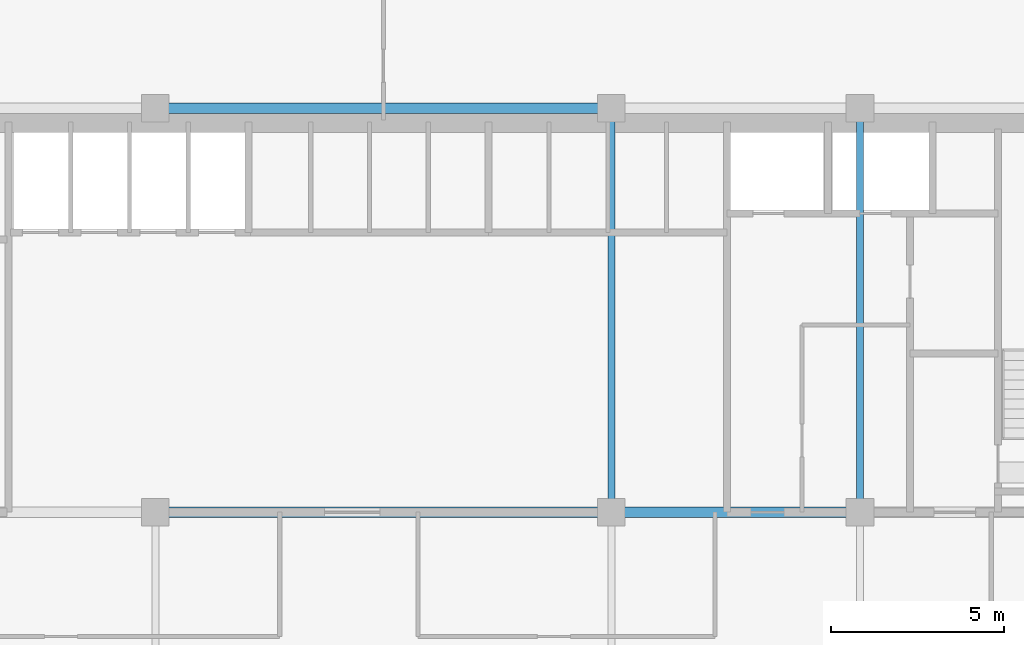
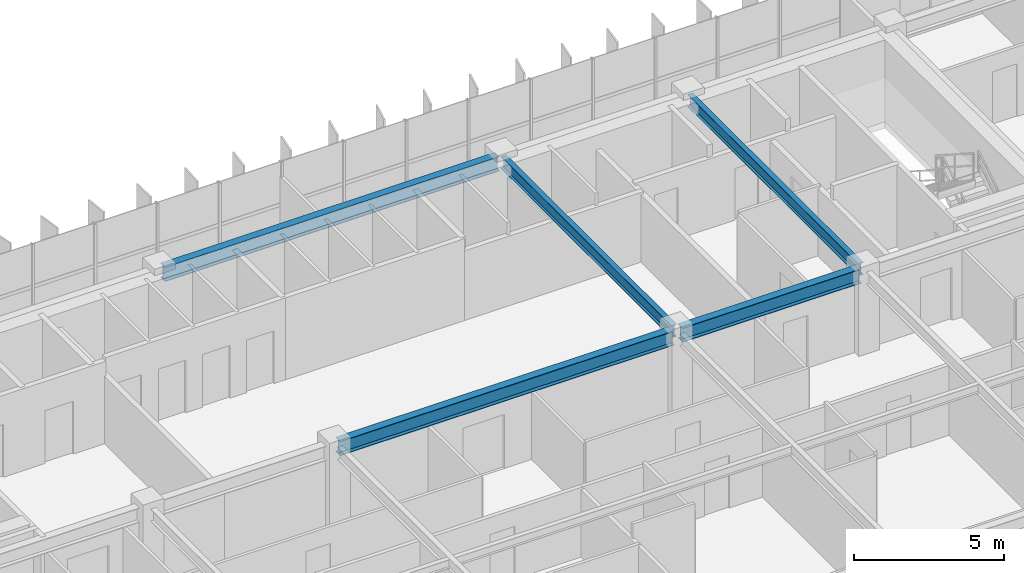
# One storey, part 8 of 22: 5 beams.
"""IFC4 building model written with IfcOpenShell, lengths in metres."""

from ifc_helpers import new_model, si_unit, direction, frame, origin, origin_2d, place, context, subcontext, project, spatial, i_section, extrude, source, transform, mapped, material, material_profile, profile_set, type_object, element, save


model = new_model("IFC4")

# Units and contexts
model_context = context("Model", 3, precision=1e-05, world=origin(), true_north=direction((0.0, 1.0)))
body_context = subcontext(model_context, "Body", "Model", "MODEL_VIEW")
ifc_project = project(units=[si_unit("LENGTHUNIT", "METRE"), si_unit("AREAUNIT", "SQUARE_METRE"), si_unit("VOLUMEUNIT", "CUBIC_METRE"), si_unit("PLANEANGLEUNIT", "RADIAN"), si_unit("MASSUNIT", "GRAM", prefix="KILO")], contexts=[model_context])

# Site, building, storey
site_placement = place(None, origin())
site = spatial("IfcSite", under=ifc_project, at=site_placement, CompositionType="ELEMENT")
building_placement = place(site_placement, origin())
building = spatial("IfcBuilding", under=site, at=building_placement, Name="Trelvane Seafront Commons", CompositionType="ELEMENT")
storey_placement = place(building_placement, frame((0.0, 0.0, 88.89990234375)))
storey = spatial("IfcBuildingStorey", under=building, at=storey_placement, Name="L22", CompositionType="ELEMENT", Elevation=88.89990234375)

# Beams
ifc_material = material(Name="Steel SM355 (S355)", Category="steel")
ifc_material_profile_1 = material_profile(ifc_material, i_section(OverallWidth=0.300048828125, OverallDepth=0.587890625, WebThickness=0.011962890625, FlangeThickness=0.02001953125, at=origin_2d()), Name="H-588x300x12x20")
ifc_profile_set_1 = profile_set([ifc_material_profile_1], Name="Steel SM355 (S355)")
beam_type_1 = type_object("IfcBeamType", Name="STR-BM-H588", PredefinedType="BEAM", material=ifc_profile_set_1)
shared_shape_1 = source(origin(), body_context, "Body", "SweptSolid", [
    extrude(i_section(OverallWidth=0.300048828125, OverallDepth=0.587890625, WebThickness=0.011962890625, FlangeThickness=0.02001953125, at=origin_2d()), origin(), (0.0, 0.0, 1.0), 12.89990234375),
])
for number, where, z_axis, x_axis, name in (
    (1, (30.75, 33.39990234375, 3.046142578125), (1.0, 0.0, 0.0), (0.0, 1.0, 0.0), "L22 Primary Girder G-23"),
    (2, (30.75, 45.10009765625, 3.046142578125), (1.0, 0.0, 0.0), (0.0, 1.0, 0.0), "L22 Primary Girder G-32"),
):
    element("IfcBeam", number, at=place(storey_placement, frame(where, z_axis=z_axis, x_axis=x_axis)), inside=storey, type_object=beam_type_1, Name=name, PredefinedType="BEAM", context=body_context, shape_type="MappedRepresentation", body=[
        mapped(shared_shape_1, transform((0.0, 0.0, 0.0), x_axis=(1.0, 0.0, 0.0), y_axis=(0.0, 1.0, 0.0), z_axis=(0.0, 0.0, 1.0), scale=1.0)),
    ])
shared_shape_2 = source(origin(), body_context, "Body", "SweptSolid", [
    extrude(i_section(OverallWidth=0.300048828125, OverallDepth=0.587890625, WebThickness=0.011962890625, FlangeThickness=0.02001953125, at=origin_2d()), origin(), (0.0, 0.0, 1.0), 6.900146484375),
])
beam_placement = place(storey_placement, frame((43.949951171875, 33.39990234375, 3.046142578125), z_axis=(1.0, 0.0, 0.0), x_axis=(0.0, 1.0, 0.0)))
element("IfcBeam", 3, at=beam_placement, inside=storey, type_object=beam_type_1, Name="L22 Primary Girder G-24", PredefinedType="BEAM", context=body_context, shape_type="MappedRepresentation", body=[
    mapped(shared_shape_2, transform((0.0, 0.0, 0.0), x_axis=(1.0, 0.0, 0.0), y_axis=(0.0, 1.0, 0.0), z_axis=(0.0, 0.0, 1.0), scale=1.0)),
])
ifc_material_profile_2 = material_profile(ifc_material, i_section(OverallWidth=0.199951171875, OverallDepth=0.5, WebThickness=0.010009765625, FlangeThickness=0.01611328125, at=origin_2d()), Name="H-500x200x10x16")
ifc_profile_set_2 = profile_set([ifc_material_profile_2], Name="Steel SM355 (S355)")
beam_type_2 = type_object("IfcBeamType", Name="STR-BM-H500", PredefinedType="BEAM", material=ifc_profile_set_2)
shared_shape_3 = source(origin(), body_context, "Body", "SweptSolid", [
    extrude(i_section(OverallWidth=0.199951171875, OverallDepth=0.5, WebThickness=0.010009765625, FlangeThickness=0.01611328125, at=origin_2d()), origin(), (0.0, 0.0, 1.0), 11.39990234375),
])
for number, where, z_axis, x_axis, name in (
    (4, (43.800048828125, 33.550048828125, 3.090087890625), (0.0, 1.0, 0.0), (-1.0, 0.0, 0.0), "L22 Primary Girder G-54"),
    (5, (51.0, 33.550048828125, 3.090087890625), (0.0, 1.0, 0.0), (-1.0, 0.0, 0.0), "L22 Primary Girder G-57"),
):
    element("IfcBeam", number, at=place(storey_placement, frame(where, z_axis=z_axis, x_axis=x_axis)), inside=storey, type_object=beam_type_2, Name=name, PredefinedType="BEAM", context=body_context, shape_type="MappedRepresentation", body=[
        mapped(shared_shape_3, transform((0.0, 0.0, 0.0), x_axis=(1.0, 0.0, 0.0), y_axis=(0.0, 1.0, 0.0), z_axis=(0.0, 0.0, 1.0), scale=1.0)),
    ])

save(model, "model.ifc")
